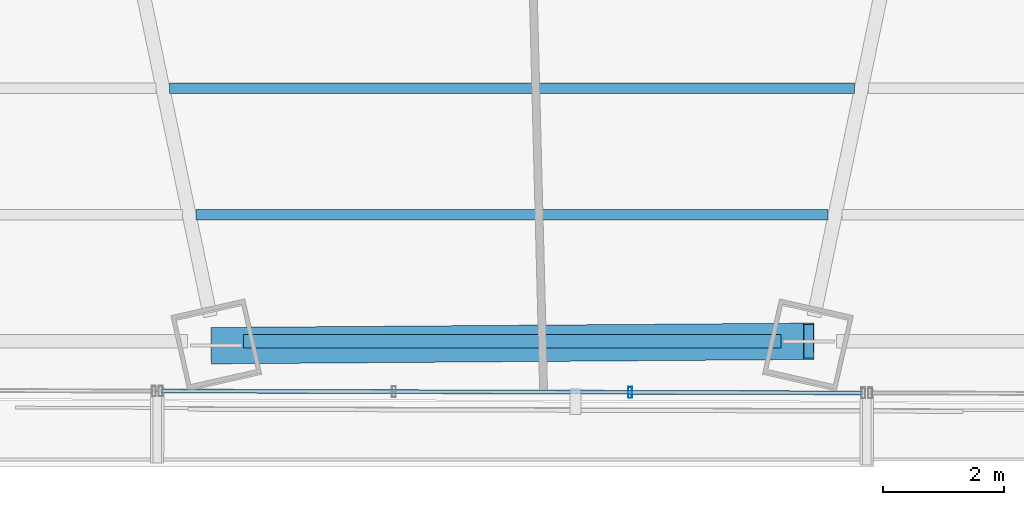
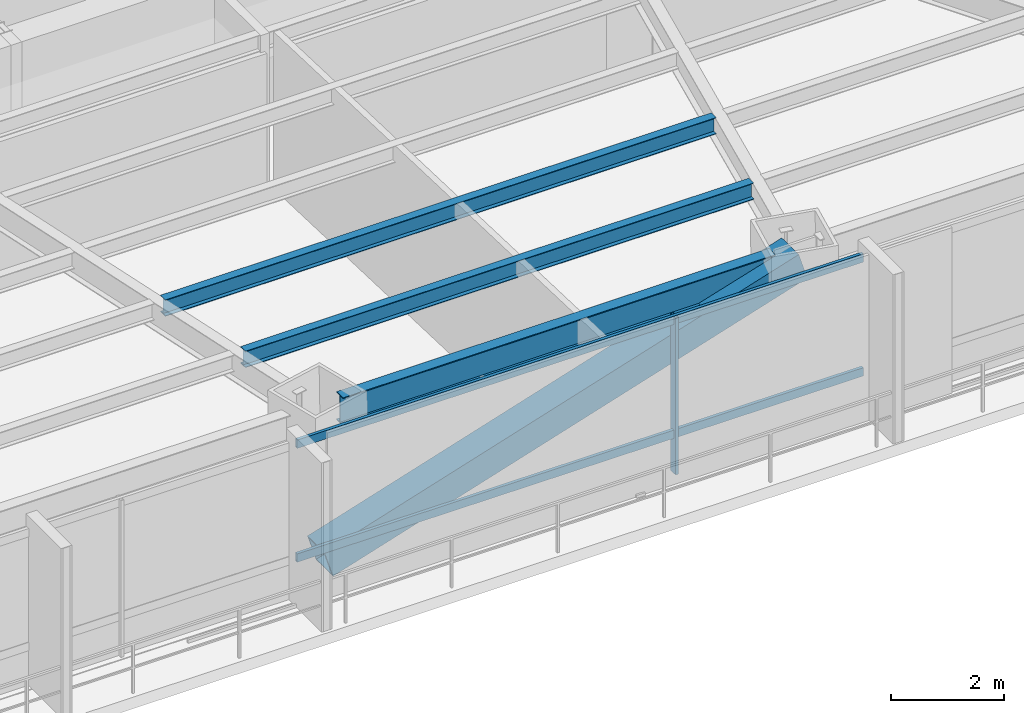
# One storey, part 7 of 35: 4 members, 3 beams, 1 element without a shape of its own.
"""IFC4 building model written with IfcOpenShell, lengths in metres."""

from ifc_helpers import new_model, si_unit, direction, frame, origin, origin_2d, place, context, subcontext, project, spatial, hollow_rectangle, i_section, extrude, source, transform, mapped, material, material_profile, profile_set, type_object, type_shapes, element, aggregate, save


model = new_model("IFC4")

# Units and contexts
model_context = context("Model", 3, precision=1e-05, world=origin(), true_north=direction((0.0, 1.0)))
body_context = subcontext(model_context, "Body", "Model", "MODEL_VIEW")
ifc_project = project(units=[si_unit("LENGTHUNIT", "METRE"), si_unit("AREAUNIT", "SQUARE_METRE"), si_unit("VOLUMEUNIT", "CUBIC_METRE"), si_unit("PLANEANGLEUNIT", "RADIAN"), si_unit("MASSUNIT", "GRAM", prefix="KILO")], contexts=[model_context])

# Site, building, storey
site_placement = place(None, origin())
site = spatial("IfcSite", under=ifc_project, at=site_placement, CompositionType="ELEMENT")
building_placement = place(site_placement, origin())
building = spatial("IfcBuilding", under=site, at=building_placement, Name="Caelisora Broadcast Tower", CompositionType="ELEMENT")
storey_placement = place(building_placement, frame((0.0, 0.0, 27.60009765625)))
storey = spatial("IfcBuildingStorey", under=building, at=storey_placement, Name="L06", CompositionType="ELEMENT", Elevation=27.60009765625)

# Beams
ifc_material_1 = material(Name="Steel Grade 350 (AS/NZS 3679.1)", Category="steel")
ifc_material_profile_1 = material_profile(ifc_material_1, i_section(OverallWidth=0.22900390625, OverallDepth=0.611572265625, WebThickness=0.011962890625, FlangeThickness=0.01953125, at=origin_2d()), Name="Steel Grade 350 (AS/NZS 3679.1)")
ifc_profile_set_1 = profile_set([ifc_material_profile_1], Name="Steel Grade 350 (AS/NZS 3679.1)")
beam_type_1 = type_object("IfcBeamType", Name="PG03", PredefinedType="BEAM", material=ifc_profile_set_1)
shared_shape_1 = source(origin(), body_context, "Body", "SweptSolid", [
    extrude(i_section(OverallWidth=0.22900390625, OverallDepth=0.611572265625, WebThickness=0.011962890625, FlangeThickness=0.01953125, at=origin_2d()), origin(), (0.0, 0.0, 1.0), 8.86767578125),
])
type_shapes(beam_type_1, [shared_shape_1])
beam_1_placement = place(storey_placement, frame((33.566162109375, 4.872314453125, 3.093994140625), z_axis=(1.0, 0.0, 0.0), x_axis=(0.0, 1.0, 0.0)))
element("IfcBeam", 1, at=beam_1_placement, inside=storey, type_object=beam_type_1, Name="L06 beam PG03", PredefinedType="BEAM", context=body_context, shape_type="MappedRepresentation", body=[
    mapped(shared_shape_1, transform((0.0, 0.0, 0.0), scale=1.0)),
])
ifc_material_profile_2 = material_profile(ifc_material_1, i_section(OverallWidth=0.172119140625, OverallDepth=0.358642578125, WebThickness=0.008056640625, FlangeThickness=0.012939453125, at=origin_2d()), Name="Steel Grade 350 (AS/NZS 3679.1)")
ifc_profile_set_2 = profile_set([ifc_material_profile_2], Name="Steel Grade 350 (AS/NZS 3679.1)")
beam_type_2 = type_object("IfcBeamType", Name="SB02", PredefinedType="JOIST", material=ifc_profile_set_2)
shared_shape_2 = source(origin(), body_context, "Body", "SweptSolid", [
    extrude(i_section(OverallWidth=0.172119140625, OverallDepth=0.358642578125, WebThickness=0.008056640625, FlangeThickness=0.012939453125, at=origin_2d()), origin(), (0.0, 0.0, 1.0), 11.29833984375),
])
beam_2_placement = place(storey_placement, frame((32.350830078125, 9.048095703125, 3.220703125), z_axis=(1.0, 0.0, 0.0), x_axis=(0.0, 1.0, 0.0)))
element("IfcBeam", 2, at=beam_2_placement, inside=storey, type_object=beam_type_2, Name="L06 beam SB02", PredefinedType="JOIST", context=body_context, shape_type="MappedRepresentation", body=[
    mapped(shared_shape_2, transform((0.0, 0.0, 0.0), scale=1.0)),
])
shared_shape_3 = source(origin(), body_context, "Body", "SweptSolid", [
    extrude(i_section(OverallWidth=0.172119140625, OverallDepth=0.358642578125, WebThickness=0.008056640625, FlangeThickness=0.012939453125, at=origin_2d()), origin(), (0.0, 0.0, 1.0), 10.4296875),
])
type_shapes(beam_type_2, [shared_shape_2, shared_shape_3])
beam_3_placement = place(storey_placement, frame((32.78515625, 6.960205078125, 3.220703125), z_axis=(1.0, 0.0, 0.0), x_axis=(0.0, 1.0, 0.0)))
element("IfcBeam", 3, at=beam_3_placement, inside=storey, type_object=beam_type_2, Name="L06 beam SB02", PredefinedType="JOIST", context=body_context, shape_type="MappedRepresentation", body=[
    mapped(shared_shape_3, transform((0.0, 0.0, 0.0), scale=1.0)),
])

# Member
ifc_material_2 = material(Name="Steel Grade 450 L15 (AS/NZS 3678)", Category="steel")
ifc_material_profile_3 = material_profile(ifc_material_2, hollow_rectangle(XDim=0.60009765625, YDim=0.60009765625, WallThickness=0.02490234375, at=origin_2d()), Name="Steel Grade 450 L15 (AS/NZS 3678)")
ifc_profile_set_3 = profile_set([ifc_material_profile_3], Name="Steel Grade 450 L15 (AS/NZS 3678)")
member_type_1 = type_object("IfcMemberType", Name="BR01", PredefinedType="BRACE", material=ifc_profile_set_3)
shared_shape_4 = source(origin(), body_context, "Body", "SweptSolid", [
    extrude(hollow_rectangle(XDim=0.60009765625, YDim=0.60009765625, WallThickness=0.02490234375, at=origin_2d()), origin(), (0.0, 0.0, 1.0), 10.2216796875),
])
type_shapes(member_type_1, [shared_shape_4])
member_1_placement = place(storey_placement, frame((33.12255859375, 4.800048828125, 0.099853515625), z_axis=(0.955934659424, 0.007069851315, 0.293494368113), x_axis=(-0.007395545191, 0.999972652582, 0.0)))
element("IfcMember", 4, at=member_1_placement, inside=storey, type_object=member_type_1, Name="L06 perimeter brace BR01", PredefinedType="BRACE", context=body_context, shape_type="MappedRepresentation", body=[
    mapped(shared_shape_4, transform((0.0, 0.0, 0.0), scale=1.0)),
])

# Curtain wall, members
ifc_material_3 = material(Name="Unitised Aluminium Insulated Shadow-Box Spandrel Curtain Wall", Category="aluminium")
curtain_wall_type = type_object("IfcCurtainWallType", Name="CW-SP1", PredefinedType="NOTDEFINED", material=ifc_material_3)
curtain_wall_placement = place(storey_placement, origin())
curtain_wall = element("IfcCurtainWall", 5, at=curtain_wall_placement, inside=storey, type_object=curtain_wall_type, Name="L06 curtain wall CW-SP1", PredefinedType="NOTDEFINED")
ifc_material_4 = material(Name="Aluminium 6063-T6 Anodised Terracotta Bronze", Category="aluminium")
ifc_material_profile_4 = material_profile(ifc_material_4, hollow_rectangle(XDim=0.06494140625, YDim=0.179931640625, WallThickness=0.00341796875, at=origin_2d()), Name="Aluminium 6063-T6 Anodised Terracotta Bronze")
ifc_profile_set_4 = profile_set([ifc_material_profile_4], Name="Aluminium 6063-T6 Anodised Terracotta Bronze")
member_type_2 = type_object("IfcMemberType", Name="CWM-02", PredefinedType="MULLION", material=ifc_profile_set_4)
shared_shape_5 = source(origin(), body_context, "Body", "SweptSolid", [
    extrude(hollow_rectangle(XDim=0.06494140625, YDim=0.179931640625, WallThickness=0.00341796875, at=origin_2d()), origin(), (0.0, 0.0, 1.0), 3.39990234375),
])
type_shapes(member_type_2, [shared_shape_5])
member_2_placement = place(storey_placement, frame((39.947021484375, 4.031005859375, 0.0), z_axis=(0.0, 0.0, 1.0), x_axis=(1.0, 0.0, 0.0)))
member_2 = element("IfcMember", 6, at=member_2_placement, type_object=member_type_2, Name="L06-CW-B06 mullion #1", PredefinedType="MULLION", context=body_context, shape_type="MappedRepresentation", body=[
    mapped(shared_shape_5, transform((0.0, 0.0, 0.0), scale=1.0)),
])
ifc_material_profile_5 = material_profile(ifc_material_4, hollow_rectangle(XDim=0.06494140625, YDim=0.179931640625, WallThickness=0.00341796875, at=origin_2d()), Name="Aluminium 6063-T6 Anodised Terracotta Bronze")
ifc_profile_set_5 = profile_set([ifc_material_profile_5], Name="Aluminium 6063-T6 Anodised Terracotta Bronze")
member_type_3 = type_object("IfcMemberType", Name="CWT-01", PredefinedType="USERDEFINED", material=ifc_profile_set_5)
shared_shape_6 = source(origin(), body_context, "Body", "SweptSolid", [
    extrude(hollow_rectangle(XDim=0.06494140625, YDim=0.179931640625, WallThickness=0.00341796875, at=origin_2d()), origin(), (0.0, 0.0, 1.0), 11.594970703125),
])
type_shapes(member_type_3, [shared_shape_6])
member_3_placement = place(storey_placement, frame((43.79541015625, 4.020751953125, 0.849853515625), z_axis=(-0.999996368146, 0.002695124231, 0.0), x_axis=(-0.002695124231, -0.999996368146, 0.0)))
member_3 = element("IfcMember", 7, at=member_3_placement, type_object=member_type_3, Name="L06-CW-B06 transom #1", ObjectType="TRANSOM", PredefinedType="USERDEFINED", context=body_context, shape_type="MappedRepresentation", body=[
    mapped(shared_shape_6, transform((0.0, 0.0, 0.0), scale=1.0)),
])
member_4_placement = place(storey_placement, frame((43.79541015625, 4.020751953125, 3.31982421875), z_axis=(-0.999996368146, 0.002695124231, 0.0), x_axis=(-0.002695124231, -0.999996368146, 0.0)))
member_4 = element("IfcMember", 8, at=member_4_placement, type_object=member_type_3, Name="L06-CW-B06 transom #2", ObjectType="TRANSOM", PredefinedType="USERDEFINED", context=body_context, shape_type="MappedRepresentation", body=[
    mapped(shared_shape_6, transform((0.0, 0.0, 0.0), scale=1.0)),
])
aggregate(curtain_wall, [member_2, member_3, member_4])

save(model, "model.ifc")
